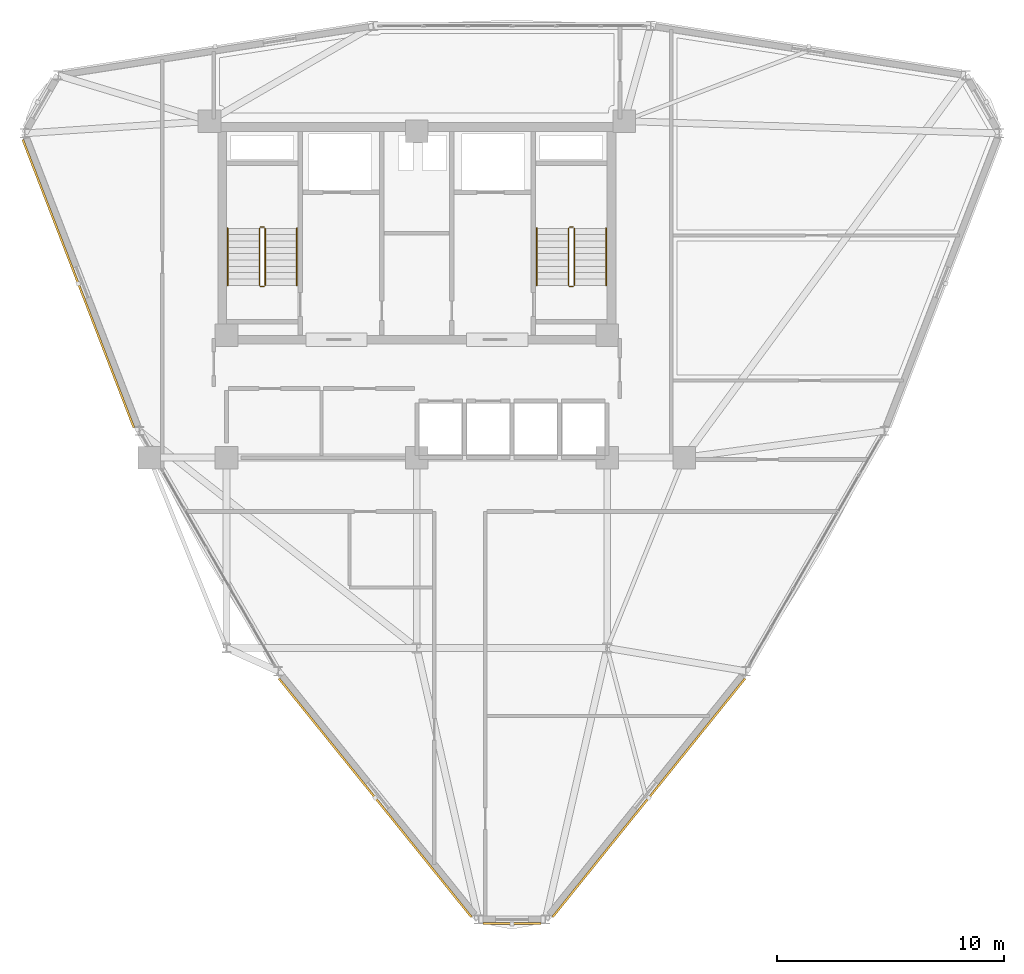
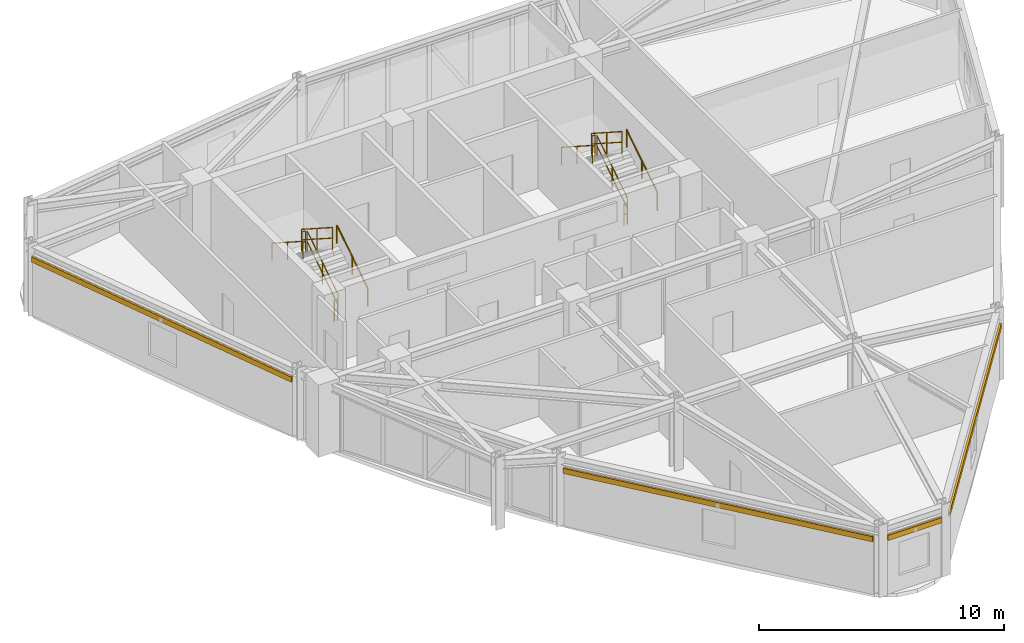
# One storey, part 15 of 16: 12 railings, 4 shading devices.
"""IFC4 building model written with IfcOpenShell, lengths in metres."""

from ifc_helpers import new_model, si_unit, derived_unit, direction, frame, origin, origin_2d, place, context, subcontext, project, spatial, hollow_rectangle, circle, extrude, source, transform, mapped, material, material_profile, profile_set, type_object, element, save


model = new_model("IFC4")

# Units and contexts
model_context = context("Model", 3, precision=1e-05, world=origin(), true_north=direction((0.0, 1.0)))
body_context = subcontext(model_context, "Body", "Model", "MODEL_VIEW")
ifc_project = project(units=[si_unit("LENGTHUNIT", "METRE"), si_unit("AREAUNIT", "SQUARE_METRE"), si_unit("VOLUMEUNIT", "CUBIC_METRE"), si_unit("PLANEANGLEUNIT", "RADIAN"), si_unit("MASSUNIT", "GRAM", prefix="KILO"), derived_unit("THERMALTRANSMITTANCEUNIT", [(si_unit("POWERUNIT", "WATT"), 1), (si_unit("LENGTHUNIT", "METRE"), -2), (si_unit("THERMODYNAMICTEMPERATUREUNIT", "KELVIN"), -1)])], contexts=[model_context])

# Site, building, storey
site_placement = place(None, origin())
site = spatial("IfcSite", under=ifc_project, at=site_placement, CompositionType="ELEMENT")
building_placement = place(site_placement, origin())
building = spatial("IfcBuilding", under=site, at=building_placement, Name="Korsvarv Bourse and Concert Hall", CompositionType="ELEMENT")
storey_placement = place(building_placement, frame((0.0, 0.0, 220.199951171875)))
storey = spatial("IfcBuildingStorey", under=building, at=storey_placement, Name="L57", CompositionType="ELEMENT", Elevation=220.199951171875)

# Railings
ifc_material_1 = material(Name="Painted Steel S355 stair well guardrail", Category="steel")
railing_type_1 = type_object("IfcRailingType", Name="RL-ST-GRD", PredefinedType="GUARDRAIL", material=ifc_material_1)
railing_1_placement = place(storey_placement, frame((29.31005859375, 40.0, 0.179931640625)))
element("IfcRailing", 1, at=railing_1_placement, inside=storey, type_object=railing_type_1, Name="L57 ST-T1 stair guard 1", PredefinedType="GUARDRAIL", context=body_context, shape_type="SweptSolid", body=[
    extrude(circle(Radius=0.02392578125, at=origin_2d()), frame((0.0, 0.0, 1.076171875), z_axis=(0.0, 0.841162588446, 0.540782303519), x_axis=(-1.0, 0.0, 0.0)), (0.0, 0.0, 1.0), 2.995849609375),
    extrude(circle(Radius=0.02392578125, at=origin_2d()), frame((0.0, 0.0, 0.550048828125), z_axis=(0.0, 0.841162588446, 0.540782303519), x_axis=(-1.0, 0.0, 0.0)), (0.0, 0.0, 1.0), 2.995849609375),
    extrude(circle(Radius=0.02099609375, at=origin_2d()), origin(), (0.0, 0.0, 1.0), 1.052001953125),
    extrude(circle(Radius=0.02099609375, at=origin_2d()), frame((0.0, 1.260009765625, 0.81005859375)), (0.0, 0.0, 1.0), 1.052001953125),
    extrude(circle(Radius=0.02099609375, at=origin_2d()), frame((0.0, 2.52001953125, 1.6201171875)), (0.0, 0.0, 1.0), 1.052001953125),
])
railing_2_placement = place(storey_placement, frame((29.260009765625, 42.570068359375, 1.800048828125)))
element("IfcRailing", 2, at=railing_2_placement, inside=storey, type_object=railing_type_1, Name="L57 ST-T1 stair guard 2", PredefinedType="GUARDRAIL", context=body_context, shape_type="SweptSolid", body=[
    extrude(circle(Radius=0.02392578125, at=origin_2d()), frame((0.0, 0.0, 1.076171875), z_axis=(-1.0, 0.0, 0.0), x_axis=(0.0, -1.0, 0.0)), (0.0, 0.0, 1.0), 0.159912109375),
    extrude(circle(Radius=0.02392578125, at=origin_2d()), frame((0.0, 0.0, 0.550048828125), z_axis=(-1.0, 0.0, 0.0), x_axis=(0.0, -1.0, 0.0)), (0.0, 0.0, 1.0), 0.159912109375),
    extrude(circle(Radius=0.02099609375, at=origin_2d()), origin(), (0.0, 0.0, 1.0), 1.052001953125),
    extrude(circle(Radius=0.02099609375, at=origin_2d()), frame((-0.159912109375, 0.0, 0.0)), (0.0, 0.0, 1.0), 1.052001953125),
])
railing_3_placement = place(storey_placement, frame((29.050048828125, 42.52001953125, 1.97998046875)))
element("IfcRailing", 3, at=railing_3_placement, inside=storey, type_object=railing_type_1, Name="L57 ST-T1 stair guard 3", PredefinedType="GUARDRAIL", context=body_context, shape_type="SweptSolid", body=[
    extrude(circle(Radius=0.02392578125, at=origin_2d()), frame((0.0, 0.0, 1.076171875), z_axis=(0.0, -0.841162588446, 0.540782303519), x_axis=(1.0, 0.0, 0.0)), (0.0, 0.0, 1.0), 2.995849609375),
    extrude(circle(Radius=0.02392578125, at=origin_2d()), frame((0.0, 0.0, 0.550048828125), z_axis=(0.0, -0.841162588446, 0.540782303519), x_axis=(1.0, 0.0, 0.0)), (0.0, 0.0, 1.0), 2.995849609375),
    extrude(circle(Radius=0.02099609375, at=origin_2d()), origin(), (0.0, 0.0, 1.0), 1.052001953125),
    extrude(circle(Radius=0.02099609375, at=origin_2d()), frame((0.0, -1.260009765625, 0.81005859375)), (0.0, 0.0, 1.0), 1.052001953125),
    extrude(circle(Radius=0.02099609375, at=origin_2d()), frame((0.0, -2.52001953125, 1.6201171875)), (0.0, 0.0, 1.0), 1.052001953125),
])
railing_4_placement = place(storey_placement, frame((29.260009765625, 39.949951171875, 0.0)))
element("IfcRailing", 4, at=railing_4_placement, inside=storey, type_object=railing_type_1, Name="L57 ST-T1 stair guard 4", PredefinedType="GUARDRAIL", context=body_context, shape_type="SweptSolid", body=[
    extrude(circle(Radius=0.02392578125, at=origin_2d()), frame((0.0, 0.0, 1.076171875), z_axis=(-1.0, 0.0, 0.0), x_axis=(0.0, -1.0, 0.0)), (0.0, 0.0, 1.0), 0.159912109375),
    extrude(circle(Radius=0.02392578125, at=origin_2d()), frame((0.0, 0.0, 0.550048828125), z_axis=(-1.0, 0.0, 0.0), x_axis=(0.0, -1.0, 0.0)), (0.0, 0.0, 1.0), 0.159912109375),
    extrude(circle(Radius=0.02099609375, at=origin_2d()), origin(), (0.0, 0.0, 1.0), 1.052001953125),
    extrude(circle(Radius=0.02099609375, at=origin_2d()), frame((-0.159912109375, 0.0, 0.0)), (0.0, 0.0, 1.0), 1.052001953125),
])
railing_5_placement = place(storey_placement, frame((42.949951171875, 40.0, 0.179931640625)))
element("IfcRailing", 5, at=railing_5_placement, inside=storey, type_object=railing_type_1, Name="L57 ST-T2 stair guard 1", PredefinedType="GUARDRAIL", context=body_context, shape_type="SweptSolid", body=[
    extrude(circle(Radius=0.02392578125, at=origin_2d()), frame((0.0, 0.0, 1.076171875), z_axis=(0.0, 0.841162588446, 0.540782303519), x_axis=(-1.0, 0.0, 0.0)), (0.0, 0.0, 1.0), 2.995849609375),
    extrude(circle(Radius=0.02392578125, at=origin_2d()), frame((0.0, 0.0, 0.550048828125), z_axis=(0.0, 0.841162588446, 0.540782303519), x_axis=(-1.0, 0.0, 0.0)), (0.0, 0.0, 1.0), 2.995849609375),
    extrude(circle(Radius=0.02099609375, at=origin_2d()), origin(), (0.0, 0.0, 1.0), 1.052001953125),
    extrude(circle(Radius=0.02099609375, at=origin_2d()), frame((0.0, 1.260009765625, 0.81005859375)), (0.0, 0.0, 1.0), 1.052001953125),
    extrude(circle(Radius=0.02099609375, at=origin_2d()), frame((0.0, 2.52001953125, 1.6201171875)), (0.0, 0.0, 1.0), 1.052001953125),
])
railing_6_placement = place(storey_placement, frame((42.89990234375, 42.570068359375, 1.800048828125)))
element("IfcRailing", 6, at=railing_6_placement, inside=storey, type_object=railing_type_1, Name="L57 ST-T2 stair guard 2", PredefinedType="GUARDRAIL", context=body_context, shape_type="SweptSolid", body=[
    extrude(circle(Radius=0.02392578125, at=origin_2d()), frame((0.0, 0.0, 1.076171875), z_axis=(-1.0, 0.0, 0.0), x_axis=(0.0, -1.0, 0.0)), (0.0, 0.0, 1.0), 0.159912109375),
    extrude(circle(Radius=0.02392578125, at=origin_2d()), frame((0.0, 0.0, 0.550048828125), z_axis=(-1.0, 0.0, 0.0), x_axis=(0.0, -1.0, 0.0)), (0.0, 0.0, 1.0), 0.159912109375),
    extrude(circle(Radius=0.02099609375, at=origin_2d()), origin(), (0.0, 0.0, 1.0), 1.052001953125),
    extrude(circle(Radius=0.02099609375, at=origin_2d()), frame((-0.159912109375, 0.0, 0.0)), (0.0, 0.0, 1.0), 1.052001953125),
])
railing_7_placement = place(storey_placement, frame((42.68994140625, 42.52001953125, 1.97998046875)))
element("IfcRailing", 7, at=railing_7_placement, inside=storey, type_object=railing_type_1, Name="L57 ST-T2 stair guard 3", PredefinedType="GUARDRAIL", context=body_context, shape_type="SweptSolid", body=[
    extrude(circle(Radius=0.02392578125, at=origin_2d()), frame((0.0, 0.0, 1.076171875), z_axis=(0.0, -0.841162588446, 0.540782303519), x_axis=(1.0, 0.0, 0.0)), (0.0, 0.0, 1.0), 2.995849609375),
    extrude(circle(Radius=0.02392578125, at=origin_2d()), frame((0.0, 0.0, 0.550048828125), z_axis=(0.0, -0.841162588446, 0.540782303519), x_axis=(1.0, 0.0, 0.0)), (0.0, 0.0, 1.0), 2.995849609375),
    extrude(circle(Radius=0.02099609375, at=origin_2d()), origin(), (0.0, 0.0, 1.0), 1.052001953125),
    extrude(circle(Radius=0.02099609375, at=origin_2d()), frame((0.0, -1.260009765625, 0.81005859375)), (0.0, 0.0, 1.0), 1.052001953125),
    extrude(circle(Radius=0.02099609375, at=origin_2d()), frame((0.0, -2.52001953125, 1.6201171875)), (0.0, 0.0, 1.0), 1.052001953125),
])
railing_8_placement = place(storey_placement, frame((42.89990234375, 39.949951171875, 0.0)))
element("IfcRailing", 8, at=railing_8_placement, inside=storey, type_object=railing_type_1, Name="L57 ST-T2 stair guard 4", PredefinedType="GUARDRAIL", context=body_context, shape_type="SweptSolid", body=[
    extrude(circle(Radius=0.02392578125, at=origin_2d()), frame((0.0, 0.0, 1.076171875), z_axis=(-1.0, 0.0, 0.0), x_axis=(0.0, -1.0, 0.0)), (0.0, 0.0, 1.0), 0.159912109375),
    extrude(circle(Radius=0.02392578125, at=origin_2d()), frame((0.0, 0.0, 0.550048828125), z_axis=(-1.0, 0.0, 0.0), x_axis=(0.0, -1.0, 0.0)), (0.0, 0.0, 1.0), 0.159912109375),
    extrude(circle(Radius=0.02099609375, at=origin_2d()), origin(), (0.0, 0.0, 1.0), 1.052001953125),
    extrude(circle(Radius=0.02099609375, at=origin_2d()), frame((-0.159912109375, 0.0, 0.0)), (0.0, 0.0, 1.0), 1.052001953125),
])
ifc_material_2 = material(Name="Brushed stainless Steel S355 tubular handrail", Category="steel")
railing_type_2 = type_object("IfcRailingType", Name="RL-ST-HND", PredefinedType="HANDRAIL", material=ifc_material_2)
railing_9_placement = place(storey_placement, frame((30.7099609375, 40.0, 0.179931640625)))
element("IfcRailing", 9, at=railing_9_placement, inside=storey, type_object=railing_type_2, Name="L57 ST-T1 stair handrail 1", PredefinedType="HANDRAIL", context=body_context, shape_type="SweptSolid", body=[
    extrude(circle(Radius=0.02392578125, at=origin_2d()), frame((0.0, 0.0, 0.8759765625), z_axis=(0.0, 0.841162588446, 0.540782303519), x_axis=(-1.0, 0.0, 0.0)), (0.0, 0.0, 1.0), 2.995849609375),
    extrude(circle(Radius=0.02099609375, at=origin_2d()), origin(), (0.0, 0.0, 1.0), 0.851806640625),
    extrude(circle(Radius=0.02099609375, at=origin_2d()), frame((0.0, 1.260009765625, 0.81005859375)), (0.0, 0.0, 1.0), 0.851806640625),
    extrude(circle(Radius=0.02099609375, at=origin_2d()), frame((0.0, 2.52001953125, 1.6201171875)), (0.0, 0.0, 1.0), 0.851806640625),
])
railing_10_placement = place(storey_placement, frame((27.64990234375, 42.52001953125, 1.97998046875)))
element("IfcRailing", 10, at=railing_10_placement, inside=storey, type_object=railing_type_2, Name="L57 ST-T1 stair handrail 2", PredefinedType="HANDRAIL", context=body_context, shape_type="SweptSolid", body=[
    extrude(circle(Radius=0.02392578125, at=origin_2d()), frame((0.0, 0.0, 0.8759765625), z_axis=(0.0, -0.841162588446, 0.540782303519), x_axis=(1.0, 0.0, 0.0)), (0.0, 0.0, 1.0), 2.995849609375),
    extrude(circle(Radius=0.02099609375, at=origin_2d()), origin(), (0.0, 0.0, 1.0), 0.851806640625),
    extrude(circle(Radius=0.02099609375, at=origin_2d()), frame((0.0, -1.260009765625, 0.81005859375)), (0.0, 0.0, 1.0), 0.851806640625),
    extrude(circle(Radius=0.02099609375, at=origin_2d()), frame((0.0, -2.52001953125, 1.6201171875)), (0.0, 0.0, 1.0), 0.851806640625),
])
railing_11_placement = place(storey_placement, frame((44.35009765625, 40.0, 0.179931640625)))
element("IfcRailing", 11, at=railing_11_placement, inside=storey, type_object=railing_type_2, Name="L57 ST-T2 stair handrail 1", PredefinedType="HANDRAIL", context=body_context, shape_type="SweptSolid", body=[
    extrude(circle(Radius=0.02392578125, at=origin_2d()), frame((0.0, 0.0, 0.8759765625), z_axis=(0.0, 0.841162588446, 0.540782303519), x_axis=(-1.0, 0.0, 0.0)), (0.0, 0.0, 1.0), 2.995849609375),
    extrude(circle(Radius=0.02099609375, at=origin_2d()), origin(), (0.0, 0.0, 1.0), 0.851806640625),
    extrude(circle(Radius=0.02099609375, at=origin_2d()), frame((0.0, 1.260009765625, 0.81005859375)), (0.0, 0.0, 1.0), 0.851806640625),
    extrude(circle(Radius=0.02099609375, at=origin_2d()), frame((0.0, 2.52001953125, 1.6201171875)), (0.0, 0.0, 1.0), 0.851806640625),
])
railing_12_placement = place(storey_placement, frame((41.2900390625, 42.52001953125, 1.97998046875)))
element("IfcRailing", 12, at=railing_12_placement, inside=storey, type_object=railing_type_2, Name="L57 ST-T2 stair handrail 2", PredefinedType="HANDRAIL", context=body_context, shape_type="SweptSolid", body=[
    extrude(circle(Radius=0.02392578125, at=origin_2d()), frame((0.0, 0.0, 0.8759765625), z_axis=(0.0, -0.841162588446, 0.540782303519), x_axis=(1.0, 0.0, 0.0)), (0.0, 0.0, 1.0), 2.995849609375),
    extrude(circle(Radius=0.02099609375, at=origin_2d()), origin(), (0.0, 0.0, 1.0), 0.851806640625),
    extrude(circle(Radius=0.02099609375, at=origin_2d()), frame((0.0, -1.260009765625, 0.81005859375)), (0.0, 0.0, 1.0), 0.851806640625),
    extrude(circle(Radius=0.02099609375, at=origin_2d()), frame((0.0, -2.52001953125, 1.6201171875)), (0.0, 0.0, 1.0), 0.851806640625),
])

# Shading devices
ifc_material_3 = material(Name="Glazed extruded architectural terracotta", Category="ceramic")
ifc_material_profile = material_profile(ifc_material_3, hollow_rectangle(XDim=0.090087890625, YDim=0.260009765625, WallThickness=0.011962890625, at=origin_2d()), Name="TC-BAG 90x260")
ifc_profile_set = profile_set([ifc_material_profile], Name="Glazed extruded architectural terracotta")
shading_device_type = type_object("IfcShadingDeviceType", Name="SHD-BAG-1", PredefinedType="USERDEFINED", material=ifc_profile_set)
shared_shape_1 = source(origin(), body_context, "Body", "SweptSolid", [
    extrude(hollow_rectangle(XDim=0.090087890625, YDim=0.260009765625, WallThickness=0.011962890625, at=origin_2d()), origin(), (0.0, 0.0, 1.0), 13.621337890625),
])
shading_device_1_placement = place(storey_placement, frame((18.61181640625, 46.432373046875, 2.860107421875), z_axis=(0.359956541612, -0.93296907138, 0.0), x_axis=(0.93296907138, 0.359956541612, 0.0)))
element("IfcShadingDevice", 13, at=shading_device_1_placement, inside=storey, type_object=shading_device_type, Name="L57 terracotta baguette sunshade EW-L57-B06", ObjectType="BAGUETTE", PredefinedType="USERDEFINED", context=body_context, shape_type="MappedRepresentation", body=[
    mapped(shared_shape_1, transform((0.0, 0.0, 0.0), scale=1.0)),
])
shared_shape_2 = source(origin(), body_context, "Body", "SweptSolid", [
    extrude(hollow_rectangle(XDim=0.090087890625, YDim=0.260009765625, WallThickness=0.011962890625, at=origin_2d()), origin(), (0.0, 0.0, 1.0), 13.530517578125),
])
for number, where, z_axis, x_axis, name in (
    (14, (29.9150390625, 22.653076171875, 2.800048828125), (0.627990128971, -0.778221303946, 0.0), (0.778221303946, 0.627990128971, 0.0), "L57 terracotta baguette sunshade EW-L57-B08"),
    (15, (41.98779296875, 12.123291015625, 2.800048828125), (0.627990128971, 0.778221303946, 0.0), (-0.778221303946, 0.627990128971, 0.0), "L57 terracotta baguette sunshade EW-L57-B10"),
):
    element("IfcShadingDevice", number, at=place(storey_placement, frame(where, z_axis=z_axis, x_axis=x_axis)), inside=storey, type_object=shading_device_type, Name=name, ObjectType="BAGUETTE", PredefinedType="USERDEFINED", context=body_context, shape_type="MappedRepresentation", body=[
        mapped(shared_shape_2, transform((0.0, 0.0, 0.0), scale=1.0)),
    ])
shared_shape_3 = source(origin(), body_context, "Body", "SweptSolid", [
    extrude(hollow_rectangle(XDim=0.090087890625, YDim=0.260009765625, WallThickness=0.011962890625, at=origin_2d()), origin(), (0.0, 0.0, 1.0), 2.54345703125),
])
shading_device_2_placement = place(storey_placement, frame((38.92822265625, 11.835205078125, 2.860107421875), z_axis=(1.0, 0.0, 0.0), x_axis=(0.0, 1.0, 0.0)))
element("IfcShadingDevice", 16, at=shading_device_2_placement, inside=storey, type_object=shading_device_type, Name="L57 terracotta baguette sunshade EW-L57-B09", ObjectType="BAGUETTE", PredefinedType="USERDEFINED", context=body_context, shape_type="MappedRepresentation", body=[
    mapped(shared_shape_3, transform((0.0, 0.0, 0.0), scale=1.0)),
])

save(model, "model.ifc")
